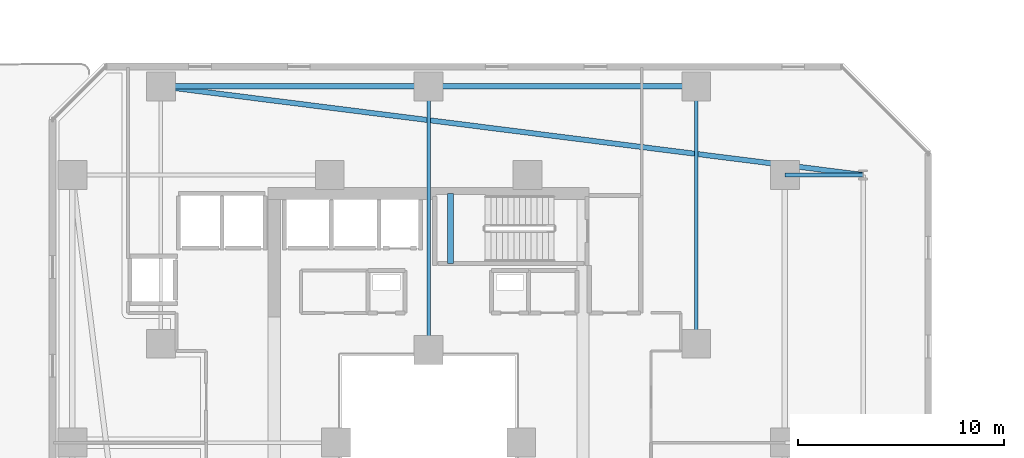
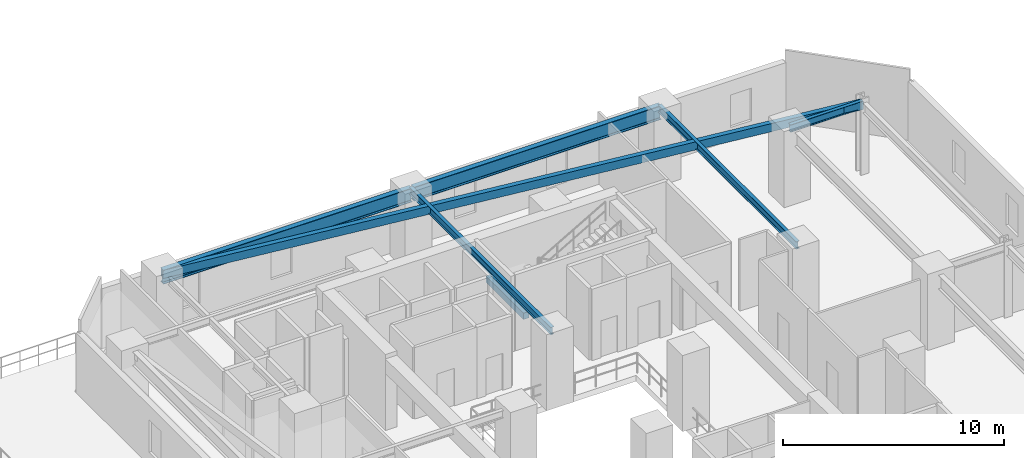
# One storey, part 8 of 33: 7 beams.
"""IFC4 building model written with IfcOpenShell, lengths in metres."""

from ifc_helpers import new_model, si_unit, direction, frame, origin, origin_2d, place, context, subcontext, project, spatial, rectangle, hollow_rectangle, i_section, extrude, material, material_profile, profile_set, type_object, element, save


model = new_model("IFC4")

# Units and contexts
model_context = context("Model", 3, precision=1e-05, world=origin(), true_north=direction((0.0, 1.0)))
body_context = subcontext(model_context, "Body", "Model", "MODEL_VIEW")
ifc_project = project(units=[si_unit("LENGTHUNIT", "METRE"), si_unit("AREAUNIT", "SQUARE_METRE"), si_unit("VOLUMEUNIT", "CUBIC_METRE"), si_unit("PLANEANGLEUNIT", "RADIAN"), si_unit("MASSUNIT", "GRAM", prefix="KILO")], contexts=[model_context])

# Site, building, storey
site_placement = place(None, origin())
site = spatial("IfcSite", under=ifc_project, at=site_placement, CompositionType="ELEMENT")
building_placement = place(site_placement, origin())
building = spatial("IfcBuilding", under=site, at=building_placement, Name="Thornwick Lancets Civic Towers", CompositionType="ELEMENT")
storey_placement = place(building_placement, frame((0.0, 0.0, 49.5)))
storey = spatial("IfcBuildingStorey", under=building, at=storey_placement, Name="L12", CompositionType="ELEMENT", Elevation=49.5)

# Beams
ifc_material_1 = material(Name="Steel S355JR", Category="steel")
ifc_material_profile_1 = material_profile(ifc_material_1, i_section(OverallWidth=0.26806640625, OverallDepth=0.769775390625, WebThickness=0.015625, FlangeThickness=0.025390625, FilletRadius=0.0166015625, at=origin_2d()), Name="UKB 762x267x197")
ifc_profile_set_1 = profile_set([ifc_material_profile_1], Name="Steel S355JR")
beam_type_1 = type_object("IfcBeamType", Name="BM_GIRD_762_197", PredefinedType="BEAM", material=ifc_profile_set_1)
beam_1_placement = place(storey_placement, frame((12.5, 44.300048828125, 3.5751953125), z_axis=(1.0, 0.0, 0.0), x_axis=(0.0, 1.0, 0.0)))
element("IfcBeam", 1, at=beam_1_placement, inside=storey, type_object=beam_type_1, Name="BM-SPINE-L12-A-6-7", PredefinedType="BEAM", context=body_context, shape_type="SweptSolid", body=[
    extrude(i_section(OverallWidth=0.26806640625, OverallDepth=0.769775390625, WebThickness=0.015625, FlangeThickness=0.025390625, FilletRadius=0.0166015625, at=origin_2d()), origin(), (0.0, 0.0, 1.0), 13.0),
])
beam_2_placement = place(storey_placement, frame((25.580078125, 44.300048828125, 3.5751953125), z_axis=(1.0, 0.0, 0.0), x_axis=(0.0, 1.0, 0.0)))
element("IfcBeam", 2, at=beam_2_placement, inside=storey, type_object=beam_type_1, Name="BM-SPINE-L12-A-7-8", PredefinedType="BEAM", context=body_context, shape_type="SweptSolid", body=[
    extrude(i_section(OverallWidth=0.26806640625, OverallDepth=0.769775390625, WebThickness=0.015625, FlangeThickness=0.025390625, FilletRadius=0.0166015625, at=origin_2d()), origin(), (0.0, 0.0, 1.0), 12.919921875),
])
ifc_material_profile_2 = material_profile(ifc_material_1, i_section(OverallWidth=0.179443359375, OverallDepth=0.412841796875, WebThickness=0.009521484375, FlangeThickness=0.01611328125, FilletRadius=0.01025390625, at=origin_2d()), Name="UKB 406x178x74")
ifc_profile_set_2 = profile_set([ifc_material_profile_2], Name="Steel S355JR")
beam_type_2 = type_object("IfcBeamType", Name="BM_JOIST_406_74", PredefinedType="JOIST", material=ifc_profile_set_2)
beam_3_placement = place(storey_placement, frame((42.800048828125, 40.0, 3.753662109375), z_axis=(1.0, 0.0, 0.0), x_axis=(0.0, 1.0, 0.0)))
element("IfcBeam", 3, at=beam_3_placement, inside=storey, type_object=beam_type_2, Name="BM-RAD-L12-A06", PredefinedType="JOIST", context=body_context, shape_type="SweptSolid", body=[
    extrude(i_section(OverallWidth=0.179443359375, OverallDepth=0.412841796875, WebThickness=0.009521484375, FlangeThickness=0.01611328125, FilletRadius=0.01025390625, at=origin_2d()), origin(), (0.0, 0.0, 1.0), 3.800048828125),
])
beam_4_placement = place(storey_placement, frame((25.5, 31.5, 3.753662109375), z_axis=(0.0, 1.0, 0.0), x_axis=(-1.0, 0.0, 0.0)))
element("IfcBeam", 4, at=beam_4_placement, inside=storey, type_object=beam_type_2, Name="BM-RADIN-L12-A08", PredefinedType="JOIST", context=body_context, shape_type="SweptSolid", body=[
    extrude(i_section(OverallWidth=0.179443359375, OverallDepth=0.412841796875, WebThickness=0.009521484375, FlangeThickness=0.01611328125, FilletRadius=0.01025390625, at=origin_2d()), origin(), (0.0, 0.0, 1.0), 12.800048828125),
])
beam_5_placement = place(storey_placement, frame((38.5, 31.800048828125, 3.753662109375), z_axis=(0.0, 1.0, 0.0), x_axis=(-1.0, 0.0, 0.0)))
element("IfcBeam", 5, at=beam_5_placement, inside=storey, type_object=beam_type_2, Name="BM-RADIN-L12-A09", PredefinedType="JOIST", context=body_context, shape_type="SweptSolid", body=[
    extrude(i_section(OverallWidth=0.179443359375, OverallDepth=0.412841796875, WebThickness=0.009521484375, FlangeThickness=0.01611328125, FilletRadius=0.01025390625, at=origin_2d()), origin(), (0.0, 0.0, 1.0), 12.5),
])
ifc_material_profile_3 = material_profile(ifc_material_1, hollow_rectangle(XDim=0.25, YDim=0.449951171875, WallThickness=0.01611328125, at=origin_2d()), Name="RHS 450x250x16")
ifc_profile_set_3 = profile_set([ifc_material_profile_3], Name="Steel S355JR")
beam_type_3 = type_object("IfcBeamType", Name="BM_RING_RHS450", PredefinedType="BEAM", material=ifc_profile_set_3)
beam_6_placement = place(storey_placement, frame((46.60009765625, 40.0, 3.735107421875), z_axis=(-0.992142878225, 0.12510998836, 0.0), x_axis=(-0.12510998836, -0.992142878225, 0.0)))
element("IfcBeam", 6, at=beam_6_placement, inside=storey, type_object=beam_type_3, Name="BM-CHAMF-L12-A-C1", PredefinedType="BEAM", context=body_context, shape_type="SweptSolid", body=[
    extrude(hollow_rectangle(XDim=0.25, YDim=0.449951171875, WallThickness=0.01611328125, at=origin_2d()), origin(), (0.0, 0.0, 1.0), 34.3701171875),
])
ifc_material_2 = material(Name="Concrete C40/50", Category="concrete")
ifc_material_profile_4 = material_profile(ifc_material_2, rectangle(XDim=0.300048828125, YDim=0.35009765625, at=origin_2d()), Name="RC 300x350")
ifc_profile_set_4 = profile_set([ifc_material_profile_4], Name="Concrete C40/50")
beam_type_4 = type_object("IfcBeamType", Name="BM_STAIR_LDG", PredefinedType="BEAM", material=ifc_profile_set_4)
beam_7_placement = place(storey_placement, frame((26.56494140625, 39.10009765625, 1.677978515625), z_axis=(0.0, -1.0, 0.0), x_axis=(1.0, 0.0, 0.0)))
element("IfcBeam", 7, at=beam_7_placement, inside=storey, type_object=beam_type_4, Name="L12 ST-A2 Landing Support Beam 1", PredefinedType="BEAM", context=body_context, shape_type="SweptSolid", body=[
    extrude(rectangle(XDim=0.300048828125, YDim=0.35009765625, at=origin_2d()), origin(), (0.0, 0.0, 1.0), 3.400146484375),
])

save(model, "model.ifc")
